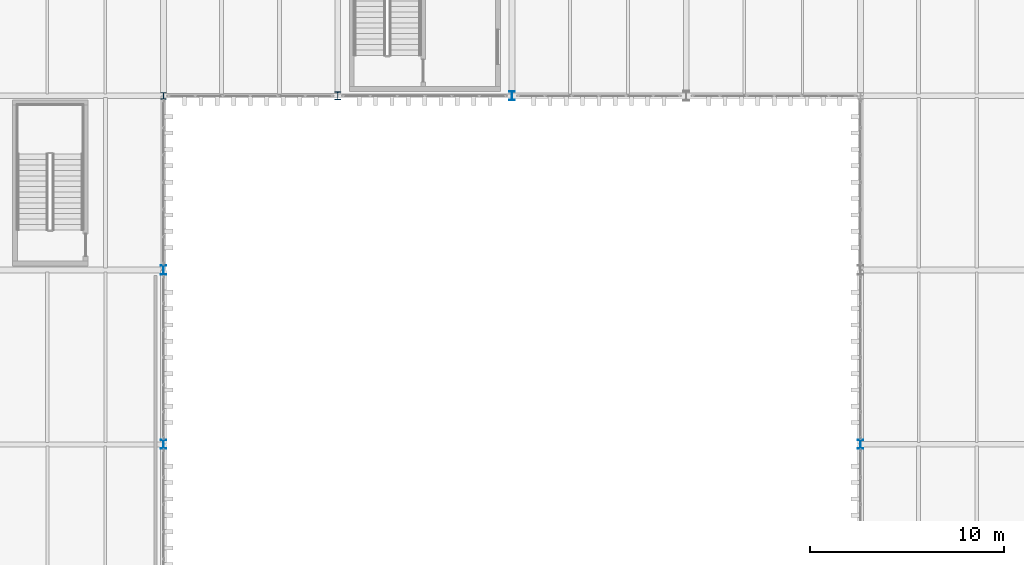
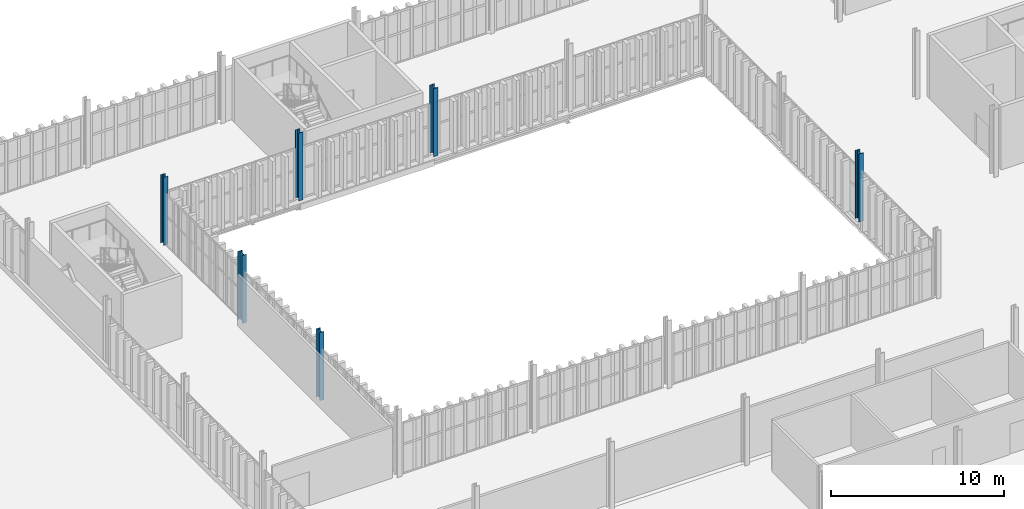
# One storey, part 13 of 196: 6 columns.
"""IFC4 building model written with IfcOpenShell, lengths in metres."""

from ifc_helpers import new_model, si_unit, direction, frame, origin, origin_2d, place, context, subcontext, project, spatial, i_section, extrude, material, material_profile, profile_set, type_object, element, save


model = new_model("IFC4")

# Units and contexts
model_context = context("Model", 3, precision=1e-05, world=origin(), true_north=direction((0.0, 1.0)))
body_context = subcontext(model_context, "Body", "Model", "MODEL_VIEW")
ifc_project = project(units=[si_unit("LENGTHUNIT", "METRE"), si_unit("AREAUNIT", "SQUARE_METRE"), si_unit("VOLUMEUNIT", "CUBIC_METRE"), si_unit("PLANEANGLEUNIT", "RADIAN"), si_unit("MASSUNIT", "GRAM", prefix="KILO")], contexts=[model_context])

# Site, building, storey
site_placement = place(None, origin())
site = spatial("IfcSite", under=ifc_project, at=site_placement, CompositionType="ELEMENT")
building_placement = place(site_placement, origin())
building = spatial("IfcBuilding", under=site, at=building_placement, Name="Barlavento Convention Centre", CompositionType="ELEMENT")
storey_placement = place(building_placement, frame((0.0, 0.0, 18.0)))
storey = spatial("IfcBuildingStorey", under=building, at=storey_placement, Name="L03", CompositionType="ELEMENT", Elevation=18.0)

# Columns
ifc_material = material(Name="Steel S355", Category="steel")
ifc_material_profile_1 = material_profile(ifc_material, i_section(OverallWidth=0.300048828125, OverallDepth=0.340087890625, WebThickness=0.011962890625, FlangeThickness=0.021484375, FilletRadius=0.027099609375, at=origin_2d()), Name="HEB 340")
ifc_profile_set_1 = profile_set([ifc_material_profile_1], Name="Steel S355")
column_type_1 = type_object("IfcColumnType", Name="STR-COL-HEB340", PredefinedType="COLUMN", material=ifc_profile_set_1)
column_1_placement = place(storey_placement, frame((135.0, 90.0, 0.0), z_axis=(0.0, 0.0, 1.0), x_axis=(1.0, 0.0, 0.0)))
element("IfcColumn", 1, at=column_1_placement, inside=storey, type_object=column_type_1, Name="L03 column SC12", PredefinedType="COLUMN", context=body_context, shape_type="SweptSolid", body=[
    extrude(i_section(OverallWidth=0.300048828125, OverallDepth=0.340087890625, WebThickness=0.011962890625, FlangeThickness=0.021484375, FilletRadius=0.027099609375, at=origin_2d()), origin(), (0.0, 0.0, 1.0), 4.800048828125),
])
ifc_material_profile_2 = material_profile(ifc_material, i_section(OverallWidth=0.300048828125, OverallDepth=0.39990234375, WebThickness=0.013427734375, FlangeThickness=0.02392578125, FilletRadius=0.027099609375, at=origin_2d()), Name="HEB 400")
ifc_profile_set_2 = profile_set([ifc_material_profile_2], Name="Steel S355")
column_type_2 = type_object("IfcColumnType", Name="STR-COL-HEB400", PredefinedType="COLUMN", material=ifc_profile_set_2)
column_2_placement = place(storey_placement, frame((144.0, 90.0, 0.0), z_axis=(0.0, 0.0, 1.0), x_axis=(1.0, 0.0, 0.0)))
element("IfcColumn", 2, at=column_2_placement, inside=storey, type_object=column_type_2, Name="L03 column SC11", PredefinedType="COLUMN", context=body_context, shape_type="SweptSolid", body=[
    extrude(i_section(OverallWidth=0.300048828125, OverallDepth=0.39990234375, WebThickness=0.013427734375, FlangeThickness=0.02392578125, FilletRadius=0.027099609375, at=origin_2d()), origin(), (0.0, 0.0, 1.0), 4.800048828125),
])
ifc_material_profile_3 = material_profile(ifc_material, i_section(OverallWidth=0.300048828125, OverallDepth=0.449951171875, WebThickness=0.013916015625, FlangeThickness=0.02587890625, FilletRadius=0.027099609375, at=origin_2d()), Name="HEB 450")
ifc_profile_set_3 = profile_set([ifc_material_profile_3], Name="Steel S355")
column_type_3 = type_object("IfcColumnType", Name="STR-COL-HEB450", PredefinedType="COLUMN", material=ifc_profile_set_3)
for number, where, z_axis, x_axis, name in (
    (3, (135.0, 72.0, 0.0), (0.0, 0.0, 1.0), (1.0, 0.0, 0.0), "L03 column SC10"),
    (4, (153.0, 90.0, 0.0), (0.0, 0.0, 1.0), (1.0, 0.0, 0.0), "L03 column SC10"),
    (5, (171.0, 72.0, 0.0), (0.0, 0.0, 1.0), (1.0, 0.0, 0.0), "L03 column SC10"),
):
    element("IfcColumn", number, at=place(storey_placement, frame(where, z_axis=z_axis, x_axis=x_axis)), inside=storey, type_object=column_type_3, Name=name, PredefinedType="COLUMN", context=body_context, shape_type="SweptSolid", body=[
        extrude(i_section(OverallWidth=0.300048828125, OverallDepth=0.449951171875, WebThickness=0.013916015625, FlangeThickness=0.02587890625, FilletRadius=0.027099609375, at=origin_2d()), origin(), (0.0, 0.0, 1.0), 4.800048828125),
    ])
ifc_material_profile_4 = material_profile(ifc_material, i_section(OverallWidth=0.300048828125, OverallDepth=0.5, WebThickness=0.014404296875, FlangeThickness=0.028076171875, FilletRadius=0.027099609375, at=origin_2d()), Name="HEB 500")
ifc_profile_set_4 = profile_set([ifc_material_profile_4], Name="Steel S355")
column_type_4 = type_object("IfcColumnType", Name="STR-COL-HEB500", PredefinedType="COLUMN", material=ifc_profile_set_4)
column_3_placement = place(storey_placement, frame((135.0, 81.0, 0.0), z_axis=(0.0, 0.0, 1.0), x_axis=(1.0, 0.0, 0.0)))
element("IfcColumn", 6, at=column_3_placement, inside=storey, type_object=column_type_4, Name="L03 column SC09", PredefinedType="COLUMN", context=body_context, shape_type="SweptSolid", body=[
    extrude(i_section(OverallWidth=0.300048828125, OverallDepth=0.5, WebThickness=0.014404296875, FlangeThickness=0.028076171875, FilletRadius=0.027099609375, at=origin_2d()), origin(), (0.0, 0.0, 1.0), 4.800048828125),
])

save(model, "model.ifc")
